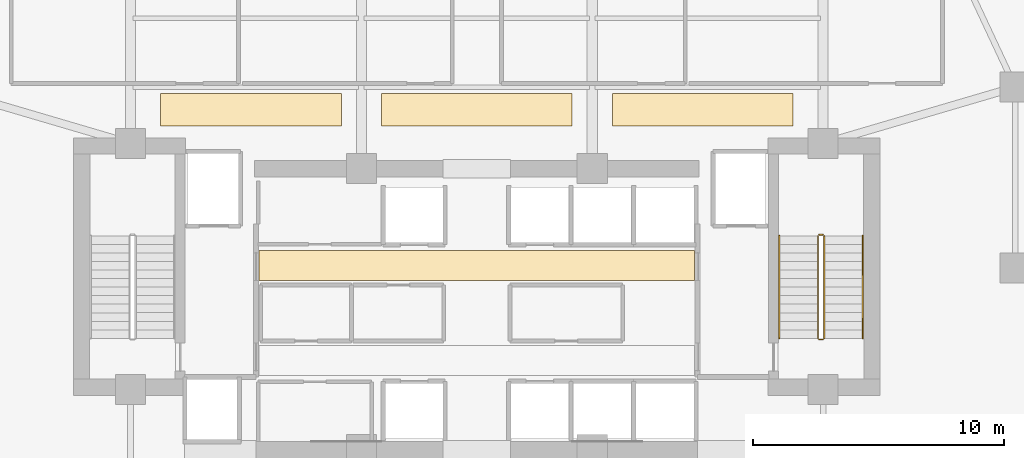
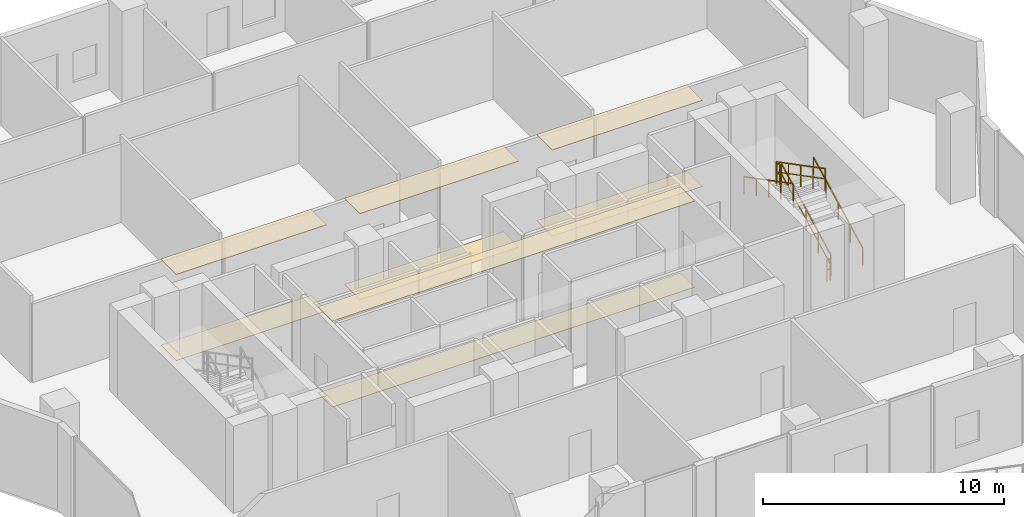
# One storey, part 29 of 31: 8 coverings, 6 railings.
"""IFC4 building model written with IfcOpenShell, lengths in metres."""

from ifc_helpers import new_model, si_unit, direction, frame, origin, origin_2d, place, context, subcontext, project, spatial, polyline, rectangle, outline, extrude, material, layer, layer_set, type_object, element, save


model = new_model("IFC4")

# Units and contexts
model_context = context("Model", 3, precision=1e-05, world=origin(), true_north=direction((0.0, 1.0)))
body_context = subcontext(model_context, "Body", "Model", "MODEL_VIEW")
ifc_project = project(units=[si_unit("LENGTHUNIT", "METRE"), si_unit("AREAUNIT", "SQUARE_METRE"), si_unit("VOLUMEUNIT", "CUBIC_METRE"), si_unit("PLANEANGLEUNIT", "RADIAN"), si_unit("MASSUNIT", "GRAM", prefix="KILO")], contexts=[model_context])

# Site, building, storey
site_placement = place(None, origin())
site = spatial("IfcSite", under=ifc_project, at=site_placement, CompositionType="ELEMENT")
building_placement = place(site_placement, origin())
building = spatial("IfcBuilding", under=site, at=building_placement, Name="Zuhayl Quay Hotel", CompositionType="ELEMENT")
storey_placement = place(building_placement, frame((0.0, 0.0, 172.800048828125)))
storey = spatial("IfcBuildingStorey", under=building, at=storey_placement, Name="L43", CompositionType="ELEMENT", Elevation=172.800048828125)

# Coverings
ifc_material_1 = material(Name="Acoustic Mineral-Fibre Gypsum Board")
ifc_layer_1 = layer(ifc_material_1, 0.02490234375, Name="Acoustic Mineral-Fibre Gypsum Board")
ifc_layer_set_1 = layer_set([ifc_layer_1], Name="Acoustic Mineral-Fibre Gypsum Board")
covering_type_1 = type_object("IfcCoveringType", Name="CV_CEIL_ACOUSTIC", PredefinedType="CEILING", material=ifc_layer_set_1)
covering_1_placement = place(storey_placement, frame((0.0, 0.0, 4.35498046875)))
element("IfcCovering", 1, at=covering_1_placement, inside=storey, type_object=covering_type_1, Name="L43 Suspended Acoustic Lobby Ceiling N", PredefinedType="CEILING", context=body_context, shape_type="SweptSolid", body=[
    extrude(outline(polyline([(-8.679931640625, 8.89990234375), (8.679931640625, 8.89990234375), (8.679931640625, 10.10009765625), (-8.679931640625, 10.10009765625), (-8.679931640625, 8.89990234375)])), origin(), (0.0, 0.0, 1.0), 0.02490234375),
])
covering_2_placement = place(storey_placement, frame((0.0, 0.0, 4.35498046875)))
element("IfcCovering", 2, at=covering_2_placement, inside=storey, type_object=covering_type_1, Name="L43 Guest Corridor Acoustic Ceiling CW", PredefinedType="CEILING", context=body_context, shape_type="SweptSolid", body=[
    extrude(outline(polyline([(-12.60009765625, 15.050048828125), (-5.39990234375, 15.050048828125), (-5.39990234375, 16.35009765625), (-12.60009765625, 16.35009765625), (-12.60009765625, 15.050048828125)])), origin(), (0.0, 0.0, 1.0), 0.02490234375),
])
covering_3_placement = place(storey_placement, frame((0.0, 0.0, 4.35498046875)))
element("IfcCovering", 3, at=covering_3_placement, inside=storey, type_object=covering_type_1, Name="L43 Guest Corridor Acoustic Ceiling CC", PredefinedType="CEILING", context=body_context, shape_type="SweptSolid", body=[
    extrude(outline(polyline([(-3.800048828125, 15.050048828125), (3.800048828125, 15.050048828125), (3.800048828125, 16.35009765625), (-3.800048828125, 16.35009765625), (-3.800048828125, 15.050048828125)])), origin(), (0.0, 0.0, 1.0), 0.02490234375),
])
covering_4_placement = place(storey_placement, frame((0.0, 0.0, 4.35498046875)))
element("IfcCovering", 4, at=covering_4_placement, inside=storey, type_object=covering_type_1, Name="L43 Guest Corridor Acoustic Ceiling CE", PredefinedType="CEILING", context=body_context, shape_type="SweptSolid", body=[
    extrude(outline(polyline([(5.39990234375, 15.050048828125), (12.60009765625, 15.050048828125), (12.60009765625, 16.35009765625), (5.39990234375, 16.35009765625), (5.39990234375, 15.050048828125)])), origin(), (0.0, 0.0, 1.0), 0.02490234375),
])
ifc_material_2 = material(Name="Polished Limestone Terrazzo", Category="masonry")
ifc_layer_2 = layer(ifc_material_2, 0.02001953125, Name="Polished Limestone Terrazzo", Category="masonry")
ifc_layer_set_2 = layer_set([ifc_layer_2], Name="Polished Limestone Terrazzo")
covering_type_2 = type_object("IfcCoveringType", Name="CV_FLOOR_TERRAZZO", PredefinedType="FLOORING", material=ifc_layer_set_2)
covering_5_placement = place(storey_placement, origin())
element("IfcCovering", 5, at=covering_5_placement, inside=storey, type_object=covering_type_2, Name="L43 Honed Limestone Terrazzo Lobby Flooring N", PredefinedType="FLOORING", context=body_context, shape_type="SweptSolid", body=[
    extrude(outline(polyline([(-8.679931640625, 8.89990234375), (8.679931640625, 8.89990234375), (8.679931640625, 10.10009765625), (-8.679931640625, 10.10009765625), (-8.679931640625, 8.89990234375)])), origin(), (0.0, 0.0, 1.0), 0.02001953125),
])
covering_6_placement = place(storey_placement, origin())
element("IfcCovering", 6, at=covering_6_placement, inside=storey, type_object=covering_type_2, Name="L43 Guest Corridor Terrazzo Runner CW", PredefinedType="FLOORING", context=body_context, shape_type="SweptSolid", body=[
    extrude(outline(polyline([(-12.60009765625, 15.050048828125), (-5.39990234375, 15.050048828125), (-5.39990234375, 16.35009765625), (-12.60009765625, 16.35009765625), (-12.60009765625, 15.050048828125)])), origin(), (0.0, 0.0, 1.0), 0.02001953125),
])
covering_7_placement = place(storey_placement, origin())
element("IfcCovering", 7, at=covering_7_placement, inside=storey, type_object=covering_type_2, Name="L43 Guest Corridor Terrazzo Runner CC", PredefinedType="FLOORING", context=body_context, shape_type="SweptSolid", body=[
    extrude(outline(polyline([(-3.800048828125, 15.050048828125), (3.800048828125, 15.050048828125), (3.800048828125, 16.35009765625), (-3.800048828125, 16.35009765625), (-3.800048828125, 15.050048828125)])), origin(), (0.0, 0.0, 1.0), 0.02001953125),
])
covering_8_placement = place(storey_placement, origin())
element("IfcCovering", 8, at=covering_8_placement, inside=storey, type_object=covering_type_2, Name="L43 Guest Corridor Terrazzo Runner CE", PredefinedType="FLOORING", context=body_context, shape_type="SweptSolid", body=[
    extrude(outline(polyline([(5.39990234375, 15.050048828125), (12.60009765625, 15.050048828125), (12.60009765625, 16.35009765625), (5.39990234375, 16.35009765625), (5.39990234375, 15.050048828125)])), origin(), (0.0, 0.0, 1.0), 0.02001953125),
])

# Railings
ifc_material_3 = material(Name="Steel ASTM A992 Grade 50", Category="steel")
railing_type_1 = type_object("IfcRailingType", Name="RL_GUARD_1100", PredefinedType="GUARDRAIL", material=ifc_material_3)
railing_1_placement = place(storey_placement, frame((13.840087890625, 6.590087890625, 0.1767578125)))
element("IfcRailing", 9, at=railing_1_placement, inside=storey, type_object=railing_type_1, Name="L43 ST2 stair guard 1", PredefinedType="GUARDRAIL", context=body_context, shape_type="SweptSolid", body=[
    extrude(rectangle(XDim=0.048095703125, YDim=0.048095703125, at=origin_2d()), frame((0.0, 0.0, 1.09619140625), z_axis=(0.0, 0.887058571811, 0.461656896598), x_axis=(-1.0, 0.0, 0.0)), (0.0, 0.0, 1.0), 4.599365234375),
    extrude(rectangle(XDim=0.0361328125, YDim=0.0361328125, at=origin_2d()), frame((0.0, 0.0, 0.58251953125), z_axis=(0.0, 0.887058571811, 0.461656896598), x_axis=(-1.0, 0.0, 0.0)), (0.0, 0.0, 1.0), 4.599365234375),
    extrude(rectangle(XDim=0.0419921875, YDim=0.0419921875, at=origin_2d()), origin(), (0.0, 0.0, 1.0), 1.072021484375),
    extrude(rectangle(XDim=0.0419921875, YDim=0.0419921875, at=origin_2d()), frame((0.0, 1.02001953125, 0.53076171875)), (0.0, 0.0, 1.0), 1.072021484375),
    extrude(rectangle(XDim=0.0419921875, YDim=0.0419921875, at=origin_2d()), frame((0.0, 2.0400390625, 1.0615234375)), (0.0, 0.0, 1.0), 1.072021484375),
    extrude(rectangle(XDim=0.0419921875, YDim=0.0419921875, at=origin_2d()), frame((0.0, 3.059814453125, 1.592529296875)), (0.0, 0.0, 1.0), 1.072021484375),
    extrude(rectangle(XDim=0.0419921875, YDim=0.0419921875, at=origin_2d()), frame((0.0, 4.079833984375, 2.123291015625)), (0.0, 0.0, 1.0), 1.072021484375),
])
railing_2_placement = place(storey_placement, frame((13.7900390625, 10.719970703125, 2.300048828125)))
element("IfcRailing", 10, at=railing_2_placement, inside=storey, type_object=railing_type_1, Name="L43 ST2 stair guard 2", PredefinedType="GUARDRAIL", context=body_context, shape_type="SweptSolid", body=[
    extrude(rectangle(XDim=0.048095703125, YDim=0.048095703125, at=origin_2d()), frame((0.0, 0.0, 1.09619140625), z_axis=(-1.0, 0.0, 0.0), x_axis=(0.0, -1.0, 0.0)), (0.0, 0.0, 1.0), 0.150146484375),
    extrude(rectangle(XDim=0.0361328125, YDim=0.0361328125, at=origin_2d()), frame((0.0, 0.0, 0.58251953125), z_axis=(-1.0, 0.0, 0.0), x_axis=(0.0, -1.0, 0.0)), (0.0, 0.0, 1.0), 0.150146484375),
    extrude(rectangle(XDim=0.0419921875, YDim=0.0419921875, at=origin_2d()), origin(), (0.0, 0.0, 1.0), 1.072021484375),
    extrude(rectangle(XDim=0.0419921875, YDim=0.0419921875, at=origin_2d()), frame((-0.150146484375, 0.0, 0.0)), (0.0, 0.0, 1.0), 1.072021484375),
])
railing_3_placement = place(storey_placement, frame((13.590087890625, 10.669921875, 2.476806640625)))
element("IfcRailing", 11, at=railing_3_placement, inside=storey, type_object=railing_type_1, Name="L43 ST2 stair guard 3", PredefinedType="GUARDRAIL", context=body_context, shape_type="SweptSolid", body=[
    extrude(rectangle(XDim=0.048095703125, YDim=0.048095703125, at=origin_2d()), frame((0.0, 0.0, 1.09619140625), z_axis=(0.0, -0.887080309456, 0.461615126026), x_axis=(1.0, 0.0, 0.0)), (0.0, 0.0, 1.0), 4.59912109375),
    extrude(rectangle(XDim=0.0361328125, YDim=0.0361328125, at=origin_2d()), frame((0.0, 0.0, 0.58251953125), z_axis=(0.0, -0.887080309456, 0.461615126026), x_axis=(1.0, 0.0, 0.0)), (0.0, 0.0, 1.0), 4.59912109375),
    extrude(rectangle(XDim=0.0419921875, YDim=0.0419921875, at=origin_2d()), origin(), (0.0, 0.0, 1.0), 1.072021484375),
    extrude(rectangle(XDim=0.0419921875, YDim=0.0419921875, at=origin_2d()), frame((0.0, -1.02001953125, 0.53076171875)), (0.0, 0.0, 1.0), 1.072021484375),
    extrude(rectangle(XDim=0.0419921875, YDim=0.0419921875, at=origin_2d()), frame((0.0, -2.0400390625, 1.0615234375)), (0.0, 0.0, 1.0), 1.072021484375),
    extrude(rectangle(XDim=0.0419921875, YDim=0.0419921875, at=origin_2d()), frame((0.0, -3.059814453125, 1.59228515625)), (0.0, 0.0, 1.0), 1.072021484375),
    extrude(rectangle(XDim=0.0419921875, YDim=0.0419921875, at=origin_2d()), frame((0.0, -4.079833984375, 2.123046875)), (0.0, 0.0, 1.0), 1.072021484375),
])
railing_4_placement = place(storey_placement, frame((13.7900390625, 6.5400390625, 0.0)))
element("IfcRailing", 12, at=railing_4_placement, inside=storey, type_object=railing_type_1, Name="L43 ST2 stair guard 4", PredefinedType="GUARDRAIL", context=body_context, shape_type="SweptSolid", body=[
    extrude(rectangle(XDim=0.048095703125, YDim=0.048095703125, at=origin_2d()), frame((0.0, 0.0, 1.09619140625), z_axis=(-1.0, 0.0, 0.0), x_axis=(0.0, -1.0, 0.0)), (0.0, 0.0, 1.0), 0.150146484375),
    extrude(rectangle(XDim=0.0361328125, YDim=0.0361328125, at=origin_2d()), frame((0.0, 0.0, 0.58251953125), z_axis=(-1.0, 0.0, 0.0), x_axis=(0.0, -1.0, 0.0)), (0.0, 0.0, 1.0), 0.150146484375),
    extrude(rectangle(XDim=0.0419921875, YDim=0.0419921875, at=origin_2d()), origin(), (0.0, 0.0, 1.0), 1.072021484375),
    extrude(rectangle(XDim=0.0419921875, YDim=0.0419921875, at=origin_2d()), frame((-0.150146484375, 0.0, 0.0)), (0.0, 0.0, 1.0), 1.072021484375),
])
railing_type_2 = type_object("IfcRailingType", Name="RL_HANDRAIL_920", PredefinedType="HANDRAIL", material=ifc_material_3)
railing_5_placement = place(storey_placement, frame((15.3798828125, 6.590087890625, 0.1767578125)))
element("IfcRailing", 13, at=railing_5_placement, inside=storey, type_object=railing_type_2, Name="L43 ST2 stair handrail 1", PredefinedType="HANDRAIL", context=body_context, shape_type="SweptSolid", body=[
    extrude(rectangle(XDim=0.048095703125, YDim=0.048095703125, at=origin_2d()), frame((0.0, 0.0, 0.8759765625), z_axis=(0.0, 0.887058571811, 0.461656896598), x_axis=(-1.0, 0.0, 0.0)), (0.0, 0.0, 1.0), 4.599365234375),
    extrude(rectangle(XDim=0.0419921875, YDim=0.0419921875, at=origin_2d()), origin(), (0.0, 0.0, 1.0), 0.851806640625),
    extrude(rectangle(XDim=0.0419921875, YDim=0.0419921875, at=origin_2d()), frame((0.0, 1.02001953125, 0.53076171875)), (0.0, 0.0, 1.0), 0.851806640625),
    extrude(rectangle(XDim=0.0419921875, YDim=0.0419921875, at=origin_2d()), frame((0.0, 2.0400390625, 1.0615234375)), (0.0, 0.0, 1.0), 0.851806640625),
    extrude(rectangle(XDim=0.0419921875, YDim=0.0419921875, at=origin_2d()), frame((0.0, 3.059814453125, 1.592529296875)), (0.0, 0.0, 1.0), 0.851806640625),
    extrude(rectangle(XDim=0.0419921875, YDim=0.0419921875, at=origin_2d()), frame((0.0, 4.079833984375, 2.123291015625)), (0.0, 0.0, 1.0), 0.851806640625),
])
railing_6_placement = place(storey_placement, frame((12.050048828125, 10.669921875, 2.476806640625)))
element("IfcRailing", 14, at=railing_6_placement, inside=storey, type_object=railing_type_2, Name="L43 ST2 stair handrail 2", PredefinedType="HANDRAIL", context=body_context, shape_type="SweptSolid", body=[
    extrude(rectangle(XDim=0.048095703125, YDim=0.048095703125, at=origin_2d()), frame((0.0, 0.0, 0.8759765625), z_axis=(0.0, -0.887080309456, 0.461615126026), x_axis=(1.0, 0.0, 0.0)), (0.0, 0.0, 1.0), 4.59912109375),
    extrude(rectangle(XDim=0.0419921875, YDim=0.0419921875, at=origin_2d()), origin(), (0.0, 0.0, 1.0), 0.851806640625),
    extrude(rectangle(XDim=0.0419921875, YDim=0.0419921875, at=origin_2d()), frame((0.0, -1.02001953125, 0.53076171875)), (0.0, 0.0, 1.0), 0.851806640625),
    extrude(rectangle(XDim=0.0419921875, YDim=0.0419921875, at=origin_2d()), frame((0.0, -2.0400390625, 1.0615234375)), (0.0, 0.0, 1.0), 0.851806640625),
    extrude(rectangle(XDim=0.0419921875, YDim=0.0419921875, at=origin_2d()), frame((0.0, -3.059814453125, 1.59228515625)), (0.0, 0.0, 1.0), 0.851806640625),
    extrude(rectangle(XDim=0.0419921875, YDim=0.0419921875, at=origin_2d()), frame((0.0, -4.079833984375, 2.123046875)), (0.0, 0.0, 1.0), 0.851806640625),
])

save(model, "model.ifc")
